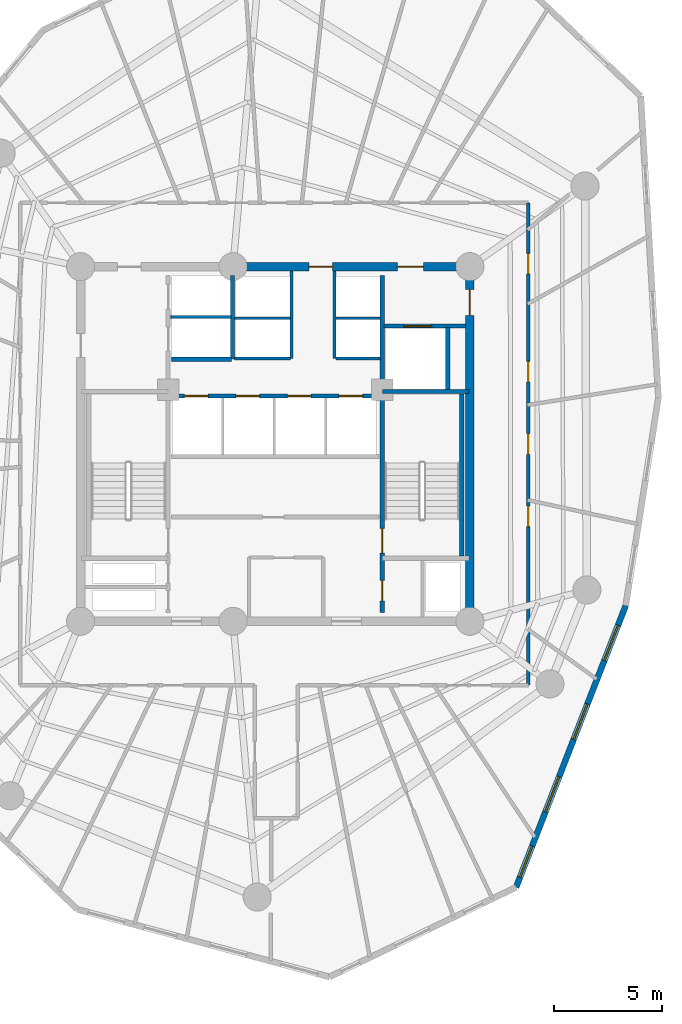
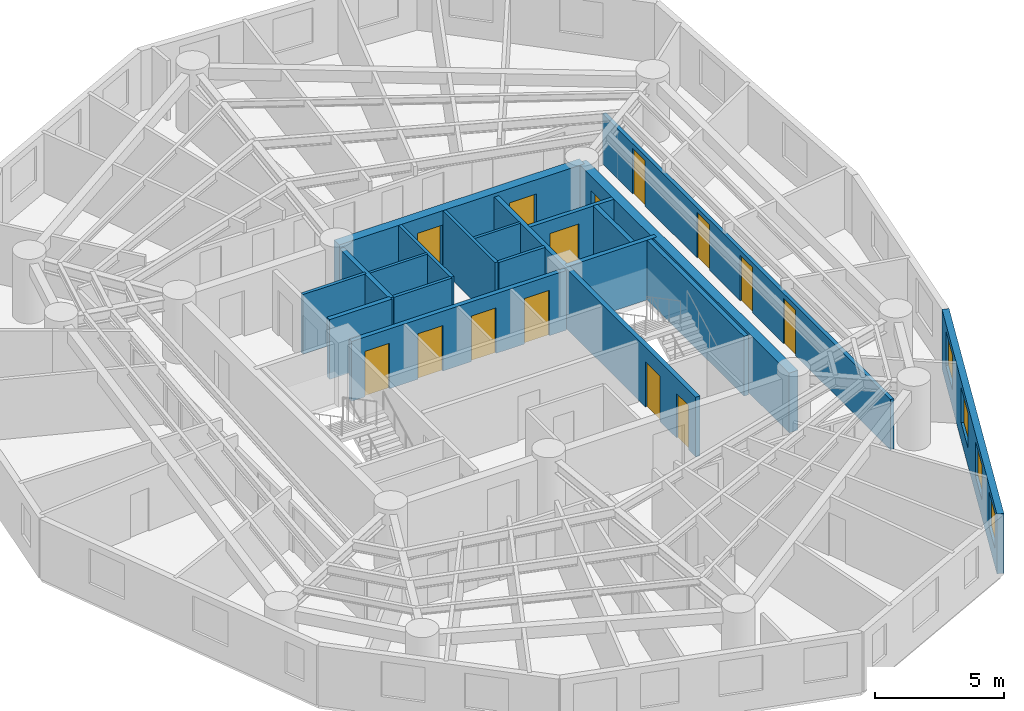
# One storey, part 5 of 8: 19 walls, 14 doors, 4 windows, 18 openings.
"""IFC4 building model written with IfcOpenShell, lengths in metres."""

from ifc_helpers import new_model, si_unit, direction, frame, frame_2d, origin, origin_with_axes, place, context, subcontext, project, spatial, rectangle, extrude, source, transform, mapped, material, layer, layer_set, type_object, element, fill, save


model = new_model("IFC4")

# Units and contexts
model_context = context("Model", 3, precision=1e-05, world=origin(), true_north=direction((0.0, 1.0)))
body_context = subcontext(model_context, "Body", "Model", "MODEL_VIEW")
ifc_project = project(units=[si_unit("LENGTHUNIT", "METRE"), si_unit("AREAUNIT", "SQUARE_METRE"), si_unit("VOLUMEUNIT", "CUBIC_METRE"), si_unit("PLANEANGLEUNIT", "RADIAN"), si_unit("MASSUNIT", "GRAM", prefix="KILO")], contexts=[model_context])

# Site, building, storey
site_placement = place(None, origin())
site = spatial("IfcSite", under=ifc_project, at=site_placement, CompositionType="ELEMENT")
building_placement = place(site_placement, origin())
building = spatial("IfcBuilding", under=site, at=building_placement, Name="Karkom Vertical University and Central Library", CompositionType="ELEMENT")
storey_placement = place(building_placement, frame((0.0, 0.0, 165.699951171875)))
storey = spatial("IfcBuildingStorey", under=building, at=storey_placement, Name="L47", CompositionType="ELEMENT", Elevation=165.699951171875)

# Wall, openings, windows
ifc_material_1 = material(Name="Brick-faced precast concrete C45/55", Category="masonry")
ifc_layer_1 = layer(ifc_material_1, 0.280029296875)
ifc_layer_set_1 = layer_set([ifc_layer_1], Name="Brick-faced precast concrete C45/55")
wall_type_1 = type_object("IfcWallType", Name="ENV-WL-BRK-280", PredefinedType="SOLIDWALL", material=ifc_layer_set_1)
wall_1_placement = place(storey_placement, frame((39.636962890625, 5.994140625, 0.0), z_axis=(0.0, 0.0, 1.0), x_axis=(0.362668608924, 0.931918172428, 0.0)))
wall_1 = element("IfcWall", 1, at=wall_1_placement, inside=storey, type_object=wall_type_1, Name="Level 47 Brick-Faced Precast Facade Wall 06", PredefinedType="SOLIDWALL", context=body_context, shape_type="SweptSolid", body=[
    extrude(rectangle(XDim=13.988037109375, YDim=0.280029296875, at=frame_2d((6.994140625, 0.0))), origin(), (0.0, 0.0, 1.0), 2.824951171875),
])
opening_1_placement = place(wall_1_placement, frame((0.505615234375, 0.0, 0.85009765625)))
opening_1 = element("IfcOpeningElement", 2, at=opening_1_placement, cuts=wall_1, Name="Opening WN-09", PredefinedType="OPENING", context=body_context, shape_type="SweptSolid", body=[
    extrude(rectangle(XDim=1.550048828125, YDim=1.64990234375, at=frame_2d((0.77490234375, 0.824951171875))), frame((0.0, 0.14990234375, 0.0), z_axis=(0.0, -1.0, 0.0), x_axis=(1.0, 0.0, 0.0)), (0.0, 0.0, 1.0), 0.300048828125),
])
opening_2_placement = place(wall_1_placement, frame((3.74560546875, 0.0, 0.85009765625)))
opening_2 = element("IfcOpeningElement", 3, at=opening_2_placement, cuts=wall_1, Name="Opening WN-08", PredefinedType="OPENING", context=body_context, shape_type="SweptSolid", body=[
    extrude(rectangle(XDim=1.75, YDim=1.64990234375, at=frame_2d((0.875, 0.824951171875))), frame((0.0, 0.14990234375, 0.0), z_axis=(0.0, -1.0, 0.0), x_axis=(1.0, 0.0, 0.0)), (0.0, 0.0, 1.0), 0.300048828125),
])
opening_3_placement = place(wall_1_placement, frame((7.344482421875, 0.0, 0.85009765625)))
opening_3 = element("IfcOpeningElement", 4, at=opening_3_placement, cuts=wall_1, Name="Opening WN-08", PredefinedType="OPENING", context=body_context, shape_type="SweptSolid", body=[
    extrude(rectangle(XDim=1.75, YDim=1.64990234375, at=frame_2d((0.875, 0.824951171875))), frame((0.0, 0.14990234375, 0.0), z_axis=(0.0, -1.0, 0.0), x_axis=(1.0, 0.0, 0.0)), (0.0, 0.0, 1.0), 0.300048828125),
])
opening_4_placement = place(wall_1_placement, frame((11.258544921875, 0.0, 0.85009765625)))
opening_4 = element("IfcOpeningElement", 5, at=opening_4_placement, cuts=wall_1, Name="Opening WN-08", PredefinedType="OPENING", context=body_context, shape_type="SweptSolid", body=[
    extrude(rectangle(XDim=1.75, YDim=1.64990234375, at=frame_2d((0.875, 0.824951171875))), frame((0.0, 0.14990234375, 0.0), z_axis=(0.0, -1.0, 0.0), x_axis=(1.0, 0.0, 0.0)), (0.0, 0.0, 1.0), 0.300048828125),
])
ifc_material_2 = material(Name="Aluminium thermal-break frame with solar-control IGU", Category="aluminium")
window_type_1 = type_object("IfcWindowType", Name="ENV-WIN-WN-08", PartitioningType="SINGLE_PANEL", PredefinedType="WINDOW", material=ifc_material_2)
shared_shape_1 = source(origin_with_axes(), body_context, "Body", "SweptSolid", [
    extrude(rectangle(XDim=1.75, YDim=1.64990234375, at=frame_2d((0.875, 0.824951171875))), frame((0.0, 0.030029296875, 0.0), z_axis=(0.0, -1.0, 0.0), x_axis=(1.0, 0.0, 0.0)), (0.0, 0.0, 1.0), 0.06005859375),
])
window_1_placement = place(opening_2_placement, origin())
window_1 = element("IfcWindow", 6, at=window_1_placement, inside=storey, type_object=window_type_1, Name="Level 47 Punched Window 6.2", OverallHeight=1.64990234375, OverallWidth=1.75, PartitioningType="SINGLE_PANEL", PredefinedType="WINDOW", context=body_context, shape_type="MappedRepresentation", body=[
    mapped(shared_shape_1, transform((0.0, 0.0, 0.0), scale=1.0)),
])
fill(opening_2, window_1)
window_2_placement = place(opening_3_placement, origin())
window_2 = element("IfcWindow", 7, at=window_2_placement, inside=storey, type_object=window_type_1, Name="Level 47 Punched Window 6.3", OverallHeight=1.64990234375, OverallWidth=1.75, PartitioningType="SINGLE_PANEL", PredefinedType="WINDOW", context=body_context, shape_type="MappedRepresentation", body=[
    mapped(shared_shape_1, transform((0.0, 0.0, 0.0), scale=1.0)),
])
fill(opening_3, window_2)
window_3_placement = place(opening_4_placement, origin())
window_3 = element("IfcWindow", 8, at=window_3_placement, inside=storey, type_object=window_type_1, Name="Level 47 Punched Window 6.4", OverallHeight=1.64990234375, OverallWidth=1.75, PartitioningType="SINGLE_PANEL", PredefinedType="WINDOW", context=body_context, shape_type="MappedRepresentation", body=[
    mapped(shared_shape_1, transform((0.0, 0.0, 0.0), scale=1.0)),
])
fill(opening_4, window_3)
window_type_2 = type_object("IfcWindowType", Name="ENV-WIN-WN-09", PartitioningType="SINGLE_PANEL", PredefinedType="WINDOW", material=ifc_material_2)
shared_shape_2 = source(origin_with_axes(), body_context, "Body", "SweptSolid", [
    extrude(rectangle(XDim=1.550048828125, YDim=1.64990234375, at=frame_2d((0.77490234375, 0.824951171875))), frame((0.0, 0.030029296875, 0.0), z_axis=(0.0, -1.0, 0.0), x_axis=(1.0, 0.0, 0.0)), (0.0, 0.0, 1.0), 0.06005859375),
])
window_4_placement = place(opening_1_placement, origin())
window_4 = element("IfcWindow", 9, at=window_4_placement, inside=storey, type_object=window_type_2, Name="Level 47 Punched Window 6.1", OverallHeight=1.64990234375, OverallWidth=1.550048828125, PartitioningType="SINGLE_PANEL", PredefinedType="WINDOW", context=body_context, shape_type="MappedRepresentation", body=[
    mapped(shared_shape_2, transform((0.0, 0.0, 0.0), scale=1.0)),
])
fill(opening_1, window_4)

# Wall, openings, doors
ifc_material_3 = material(Name="Insulated metal-stud drywall 160mm", Category="gypsum")
ifc_layer_2 = layer(ifc_material_3, 0.159912109375)
ifc_layer_set_2 = layer_set([ifc_layer_2], Name="Insulated metal-stud drywall 160mm")
wall_type_2 = type_object("IfcWallType", Name="INT-WL-COR-160", PredefinedType="PARTITIONING", material=ifc_layer_set_2)
wall_2_placement = place(storey_placement, frame((40.199951171875, 37.64990234375, 0.0), z_axis=(0.0, 0.0, 1.0), x_axis=(0.0, -1.0, 0.0)))
wall_2 = element("IfcWall", 10, at=wall_2_placement, inside=storey, type_object=wall_type_2, Name="Level 47 Interior Partition Wall L47-CORW-CW-004", PredefinedType="PARTITIONING", context=body_context, shape_type="SweptSolid", body=[
    extrude(rectangle(XDim=22.2998046875, YDim=0.159912109375, at=frame_2d((11.14990234375, 0.0))), origin(), (0.0, 0.0, 1.0), 2.375),
])
opening_5_placement = place(wall_2_placement, frame((14.02001953125, 0.0, 0.0)))
opening_5 = element("IfcOpeningElement", 11, at=opening_5_placement, cuts=wall_2, Name="Opening D-RM1", PredefinedType="OPENING", context=body_context, shape_type="SweptSolid", body=[
    extrude(rectangle(XDim=0.949951171875, YDim=2.14990234375, at=frame_2d((0.47509765625, 1.074951171875))), frame((0.0, 0.08984375, 0.0), z_axis=(0.0, -1.0, 0.0), x_axis=(1.0, 0.0, 0.0)), (0.0, 0.0, 1.0), 0.179931640625),
])
opening_6_placement = place(wall_2_placement, frame((10.675048828125, 0.0, 0.0)))
opening_6 = element("IfcOpeningElement", 12, at=opening_6_placement, cuts=wall_2, Name="Opening D-RM1", PredefinedType="OPENING", context=body_context, shape_type="SweptSolid", body=[
    extrude(rectangle(XDim=0.949951171875, YDim=2.14990234375, at=frame_2d((0.47509765625, 1.074951171875))), frame((0.0, 0.08984375, 0.0), z_axis=(0.0, -1.0, 0.0), x_axis=(1.0, 0.0, 0.0)), (0.0, 0.0, 1.0), 0.179931640625),
])
opening_7_placement = place(wall_2_placement, frame((7.330078125, 0.0, 0.0)))
opening_7 = element("IfcOpeningElement", 13, at=opening_7_placement, cuts=wall_2, Name="Opening D-RM1", PredefinedType="OPENING", context=body_context, shape_type="SweptSolid", body=[
    extrude(rectangle(XDim=0.949951171875, YDim=2.14990234375, at=frame_2d((0.47509765625, 1.074951171875))), frame((0.0, 0.08984375, 0.0), z_axis=(0.0, -1.0, 0.0), x_axis=(1.0, 0.0, 0.0)), (0.0, 0.0, 1.0), 0.179931640625),
])
opening_8_placement = place(wall_2_placement, frame((2.342041015625, 0.0, 0.0)))
opening_8 = element("IfcOpeningElement", 14, at=opening_8_placement, cuts=wall_2, Name="Opening D-RM1", PredefinedType="OPENING", context=body_context, shape_type="SweptSolid", body=[
    extrude(rectangle(XDim=0.949951171875, YDim=2.14990234375, at=frame_2d((0.47509765625, 1.074951171875))), frame((0.0, 0.08984375, 0.0), z_axis=(0.0, -1.0, 0.0), x_axis=(1.0, 0.0, 0.0)), (0.0, 0.0, 1.0), 0.179931640625),
])
ifc_material_4 = material(Name="Solid-core oak veneer door", Category="wood")
door_type_1 = type_object("IfcDoorType", Name="INT-DR-RM1", OperationType="NOTDEFINED", PredefinedType="DOOR", material=ifc_material_4)
shared_shape_3 = source(origin_with_axes(), body_context, "Body", "SweptSolid", [
    extrude(rectangle(XDim=0.949951171875, YDim=2.14990234375, at=frame_2d((0.47509765625, 1.074951171875))), frame((0.0, 0.02490234375, 0.0), z_axis=(0.0, -1.0, 0.0), x_axis=(1.0, 0.0, 0.0)), (0.0, 0.0, 1.0), 0.050048828125),
])
door_1_placement = place(opening_5_placement, origin())
door_1 = element("IfcDoor", 15, at=door_1_placement, inside=storey, type_object=door_type_1, Name="Level 47 Room Entry Door 130", OperationType="SINGLE_SWING_RIGHT", OverallHeight=2.14990234375, OverallWidth=0.949951171875, PredefinedType="DOOR", context=body_context, shape_type="MappedRepresentation", body=[
    mapped(shared_shape_3, transform((0.0, 0.0, 0.0), scale=1.0)),
])
fill(opening_5, door_1)
door_2_placement = place(opening_6_placement, origin())
door_2 = element("IfcDoor", 16, at=door_2_placement, inside=storey, type_object=door_type_1, Name="Level 47 Room Entry Door 140", OperationType="SINGLE_SWING_LEFT", OverallHeight=2.14990234375, OverallWidth=0.949951171875, PredefinedType="DOOR", context=body_context, shape_type="MappedRepresentation", body=[
    mapped(shared_shape_3, transform((0.0, 0.0, 0.0), scale=1.0)),
])
fill(opening_6, door_2)
door_3_placement = place(opening_7_placement, origin())
door_3 = element("IfcDoor", 17, at=door_3_placement, inside=storey, type_object=door_type_1, Name="Level 47 Room Entry Door 150", OperationType="SINGLE_SWING_RIGHT", OverallHeight=2.14990234375, OverallWidth=0.949951171875, PredefinedType="DOOR", context=body_context, shape_type="MappedRepresentation", body=[
    mapped(shared_shape_3, transform((0.0, 0.0, 0.0), scale=1.0)),
])
fill(opening_7, door_3)
door_4_placement = place(opening_8_placement, origin())
door_4 = element("IfcDoor", 18, at=door_4_placement, inside=storey, type_object=door_type_1, Name="Level 47 Room Entry Door 160", OperationType="SINGLE_SWING_LEFT", OverallHeight=2.14990234375, OverallWidth=0.949951171875, PredefinedType="DOOR", context=body_context, shape_type="MappedRepresentation", body=[
    mapped(shared_shape_3, transform((0.0, 0.0, 0.0), scale=1.0)),
])
fill(opening_8, door_4)

# Walls
ifc_material_5 = material(Name="Moisture-resistant drywall 120mm", Category="gypsum")
ifc_layer_3 = layer(ifc_material_5, 0.1201171875)
ifc_layer_set_3 = layer_set([ifc_layer_3], Name="Moisture-resistant drywall 120mm")
wall_type_3 = type_object("IfcWallType", Name="INT-WL-INT-120H", PredefinedType="PARTITIONING", material=ifc_layer_set_3)
wall_3_placement = place(storey_placement, frame((26.6201171875, 32.320068359375, 0.0), z_axis=(0.0, 0.0, 1.0), x_axis=(1.0, 0.0, 0.0)))
element("IfcWall", 19, at=wall_3_placement, inside=storey, type_object=wall_type_3, Name="Level 47 Interior Partition Wall L47-CW-PH-MW", PredefinedType="PARTITIONING", context=body_context, shape_type="SweptSolid", body=[
    extrude(rectangle(XDim=2.579833984375, YDim=0.1201171875, at=frame_2d((1.2900390625, 0.0))), origin(), (0.0, 0.0, 1.0), 2.824951171875),
])
wall_4_placement = place(storey_placement, frame((31.300048828125, 32.320068359375, 0.0), z_axis=(0.0, 0.0, 1.0), x_axis=(1.0, 0.0, 0.0)))
element("IfcWall", 20, at=wall_4_placement, inside=storey, type_object=wall_type_3, Name="Level 47 Interior Partition Wall L47-CW-PH-ME", PredefinedType="PARTITIONING", context=body_context, shape_type="SweptSolid", body=[
    extrude(rectangle(XDim=2.074951171875, YDim=0.1201171875, at=frame_2d((1.03759765625, 0.0))), origin(), (0.0, 0.0, 1.0), 2.824951171875),
])
ifc_material_6 = material(Name="Metal-stud gypsum partition 140mm", Category="gypsum")
ifc_layer_4 = layer(ifc_material_6, 0.139892578125)
ifc_layer_set_4 = layer_set([ifc_layer_4], Name="Metal-stud gypsum partition 140mm")
wall_type_4 = type_object("IfcWallType", Name="INT-WL-SUB-140H", PredefinedType="PARTITIONING", material=ifc_layer_set_4)
for number, where, z_axis, x_axis, name in (
    (21, (29.260009765625, 30.449951171875, 0.0), (0.0, 0.0, 1.0), (0.0, 1.0, 0.0), "Level 47 Interior Partition Wall L47-CW-PH-W"),
    (22, (31.239990234375, 30.449951171875, 0.0), (0.0, 0.0, 1.0), (0.0, 1.0, 0.0), "Level 47 Interior Partition Wall L47-CW-PH-E"),
):
    element("IfcWall", number, at=place(storey_placement, frame(where, z_axis=z_axis, x_axis=x_axis)), inside=storey, type_object=wall_type_4, Name=name, PredefinedType="PARTITIONING", context=body_context, shape_type="SweptSolid", body=[
        extrude(rectangle(XDim=4.04296875, YDim=0.139892578125, at=frame_2d((2.021484375, 0.0))), origin(), (0.0, 0.0, 1.0), 2.824951171875),
    ])
wall_5_placement = place(storey_placement, frame((26.6201171875, 30.449951171875, 0.0), z_axis=(0.0, 0.0, 1.0), x_axis=(1.0, 0.0, 0.0)))
element("IfcWall", 23, at=wall_5_placement, inside=storey, type_object=wall_type_4, Name="Level 47 Interior Partition Wall L47-CW-PH-S1", PredefinedType="PARTITIONING", context=body_context, shape_type="SweptSolid", body=[
    extrude(rectangle(XDim=2.579833984375, YDim=0.139892578125, at=frame_2d((1.2900390625, 0.0))), origin(), (0.0, 0.0, 1.0), 2.824951171875),
])
wall_6_placement = place(storey_placement, frame((31.300048828125, 30.449951171875, 0.0), z_axis=(0.0, 0.0, 1.0), x_axis=(1.0, 0.0, 0.0)))
element("IfcWall", 24, at=wall_6_placement, inside=storey, type_object=wall_type_4, Name="Level 47 Interior Partition Wall L47-CW-PH-S2", PredefinedType="PARTITIONING", context=body_context, shape_type="SweptSolid", body=[
    extrude(rectangle(XDim=2.074951171875, YDim=0.139892578125, at=frame_2d((1.03759765625, 0.0))), origin(), (0.0, 0.0, 1.0), 2.824951171875),
])
ifc_layer_5 = layer(ifc_material_6, 0.139892578125)
ifc_layer_set_5 = layer_set([ifc_layer_5], Name="Metal-stud gypsum partition 140mm")
wall_type_5 = type_object("IfcWallType", Name="INT-WL-SUB-140X", PredefinedType="PARTITIONING", material=ifc_layer_set_5)
wall_7_placement = place(storey_placement, frame((23.652099609375, 32.3701171875, 0.0), z_axis=(0.0, 0.0, 1.0), x_axis=(1.0, 0.0, 0.0)))
element("IfcWall", 25, at=wall_7_placement, inside=storey, type_object=wall_type_5, Name="Level 47 Interior Partition Wall L47-CW-FFL-M", PredefinedType="PARTITIONING", context=body_context, shape_type="SweptSolid", body=[
    extrude(rectangle(XDim=2.827880859375, YDim=0.139892578125, at=frame_2d((1.4140625, 0.0))), origin(), (0.0, 0.0, 1.0), 2.824951171875),
])

# Wall, opening, door
ifc_material_7 = material(Name="Twin-stud acoustic drywall 180mm", Category="gypsum")
ifc_layer_6 = layer(ifc_material_7, 0.179931640625)
ifc_layer_set_6 = layer_set([ifc_layer_6], Name="Twin-stud acoustic drywall 180mm")
wall_type_6 = type_object("IfcWallType", Name="INT-WL-TEN-180F", PredefinedType="PARTITIONING", material=ifc_layer_set_6)
wall_8_placement = place(storey_placement, frame((33.534912109375, 31.949951171875, 0.0), z_axis=(0.0, 0.0, 1.0), x_axis=(1.0, 0.0, 0.0)))
wall_8 = element("IfcWall", 26, at=wall_8_placement, inside=storey, type_object=wall_type_6, Name="Level 47 Interior Partition Wall L47-CW-SVL-N", PredefinedType="PARTITIONING", context=body_context, shape_type="SweptSolid", body=[
    extrude(rectangle(XDim=3.7587890625, YDim=0.179931640625, at=frame_2d((1.87939453125, 0.0))), origin(), (0.0, 0.0, 1.0), 2.824951171875),
])
opening_9_placement = place(wall_8_placement, frame((0.89990234375, 0.0, 0.0)))
opening_9 = element("IfcOpeningElement", 27, at=opening_9_placement, cuts=wall_8, Name="Opening LD-SV1", PredefinedType="OPENING", context=body_context, shape_type="SweptSolid", body=[
    extrude(rectangle(XDim=1.300048828125, YDim=2.199951171875, at=frame_2d((0.64990234375, 1.10009765625))), frame((0.0, 0.10009765625, 0.0), z_axis=(0.0, -1.0, 0.0), x_axis=(1.0, 0.0, 0.0)), (0.0, 0.0, 1.0), 0.199951171875),
])
ifc_material_8 = material(Name="Brushed stainless-steel landing door", Category="steel")
door_type_2 = type_object("IfcDoorType", Name="INT-DR-LD-SV1", OperationType="SLIDING_TO_LEFT", PredefinedType="DOOR", material=ifc_material_8)
shared_shape_4 = source(origin_with_axes(), body_context, "Body", "SweptSolid", [
    extrude(rectangle(XDim=1.300048828125, YDim=2.199951171875, at=frame_2d((0.64990234375, 1.10009765625))), frame((0.0, 0.02490234375, 0.0), z_axis=(0.0, -1.0, 0.0), x_axis=(1.0, 0.0, 0.0)), (0.0, 0.0, 1.0), 0.050048828125),
])
door_5_placement = place(opening_9_placement, origin())
door_5 = element("IfcDoor", 28, at=door_5_placement, inside=storey, type_object=door_type_2, Name="Level 47 Service Lift Landing Door LD-SV1", OperationType="SLIDING_TO_LEFT", OverallHeight=2.199951171875, OverallWidth=1.300048828125, PredefinedType="DOOR", context=body_context, shape_type="MappedRepresentation", body=[
    mapped(shared_shape_4, transform((0.0, 0.0, 0.0), scale=1.0)),
])
fill(opening_9, door_5)

ifc_material_9 = material(Name="Concrete C50/60", Category="concrete")
ifc_layer_7 = layer(ifc_material_9, 0.39990234375)
ifc_layer_set_7 = layer_set([ifc_layer_7], Name="Concrete C50/60")
wall_type_7 = type_object("IfcWallType", Name="STR-WL-CW-400", PredefinedType="SHEAR", material=ifc_layer_set_7)
wall_9_placement = place(storey_placement, frame((37.5, 18.300048828125, 0.0), z_axis=(0.0, 0.0, 1.0), x_axis=(0.0, 1.0, 0.0)))
wall_9 = element("IfcWall", 29, at=wall_9_placement, inside=storey, type_object=wall_type_7, Name="Level 47 Central Core Shear Wall EW", PredefinedType="SHEAR", context=body_context, shape_type="SweptSolid", body=[
    extrude(rectangle(XDim=16.39990234375, YDim=0.39990234375, at=frame_2d((8.199951171875, 0.0))), origin(), (0.0, 0.0, 1.0), 2.824951171875),
])
opening_10_placement = place(wall_9_placement, frame((14.14990234375, 0.0, 0.0)))
opening_10 = element("IfcOpeningElement", 30, at=opening_10_placement, cuts=wall_9, Name="Opening FD-SUB1", PredefinedType="OPENING", context=body_context, shape_type="SweptSolid", body=[
    extrude(rectangle(XDim=1.199951171875, YDim=2.14990234375, at=frame_2d((0.60009765625, 1.074951171875))), frame((0.0, 0.2099609375, 0.0), z_axis=(0.0, -1.0, 0.0), x_axis=(1.0, 0.0, 0.0)), (0.0, 0.0, 1.0), 0.419921875),
])
ifc_material_10 = material(Name="Painted steel fire door", Category="steel")
door_type_3 = type_object("IfcDoorType", Name="INT-DR-SUB1", OperationType="NOTDEFINED", PredefinedType="DOOR", material=ifc_material_10)
shared_shape_5 = source(origin_with_axes(), body_context, "Body", "SweptSolid", [
    extrude(rectangle(XDim=1.199951171875, YDim=2.14990234375, at=frame_2d((0.60009765625, 1.074951171875))), frame((0.0, 0.02490234375, 0.0), z_axis=(0.0, -1.0, 0.0), x_axis=(1.0, 0.0, 0.0)), (0.0, 0.0, 1.0), 0.050048828125),
])
door_6_placement = place(opening_10_placement, origin())
door_6 = element("IfcDoor", 31, at=door_6_placement, inside=storey, type_object=door_type_3, Name="Level 47 East Corridor Service Lobby Door", OperationType="SINGLE_SWING_RIGHT", OverallHeight=2.14990234375, OverallWidth=1.199951171875, PredefinedType="DOOR", context=body_context, shape_type="MappedRepresentation", body=[
    mapped(shared_shape_5, transform((0.0, 0.0, 0.0), scale=1.0)),
])
fill(opening_10, door_6)

# Wall, openings, doors
wall_10_placement = place(storey_placement, frame((37.5, 34.699951171875, 0.0), z_axis=(0.0, 0.0, 1.0), x_axis=(-1.0, 0.0, 0.0)))
wall_10 = element("IfcWall", 32, at=wall_10_placement, inside=storey, type_object=wall_type_7, Name="Level 47 Central Core Shear Wall NW1", PredefinedType="SHEAR", context=body_context, shape_type="SweptSolid", body=[
    extrude(rectangle(XDim=10.949951171875, YDim=0.39990234375, at=frame_2d((5.47509765625, 0.0))), origin(), (0.0, 0.0, 1.0), 2.824951171875),
])
opening_11_placement = place(wall_10_placement, frame((2.14990234375, 0.0, 0.0)))
opening_11 = element("IfcOpeningElement", 33, at=opening_11_placement, cuts=wall_10, Name="Opening FD-SUB1", PredefinedType="OPENING", context=body_context, shape_type="SweptSolid", body=[
    extrude(rectangle(XDim=1.199951171875, YDim=2.14990234375, at=frame_2d((0.60009765625, 1.074951171875))), frame((0.0, 0.2099609375, 0.0), z_axis=(0.0, -1.0, 0.0), x_axis=(1.0, 0.0, 0.0)), (0.0, 0.0, 1.0), 0.419921875),
])
opening_12_placement = place(wall_10_placement, frame((6.35009765625, 0.0, 0.0)))
opening_12 = element("IfcOpeningElement", 34, at=opening_12_placement, cuts=wall_10, Name="Opening FD-FFL", PredefinedType="OPENING", context=body_context, shape_type="SweptSolid", body=[
    extrude(rectangle(XDim=1.10009765625, YDim=2.14990234375, at=frame_2d((0.550048828125, 1.074951171875))), frame((0.0, 0.2099609375, 0.0), z_axis=(0.0, -1.0, 0.0), x_axis=(1.0, 0.0, 0.0)), (0.0, 0.0, 1.0), 0.419921875),
])
ifc_material_11 = material(Name="Painted steel smoke-seal fire door", Category="steel")
door_type_4 = type_object("IfcDoorType", Name="INT-DR-FFL", OperationType="NOTDEFINED", PredefinedType="DOOR", material=ifc_material_11)
shared_shape_6 = source(origin_with_axes(), body_context, "Body", "SweptSolid", [
    extrude(rectangle(XDim=1.10009765625, YDim=2.14990234375, at=frame_2d((0.550048828125, 1.074951171875))), frame((0.0, 0.02490234375, 0.0), z_axis=(0.0, -1.0, 0.0), x_axis=(1.0, 0.0, 0.0)), (0.0, 0.0, 1.0), 0.050048828125),
])
door_7_placement = place(opening_12_placement, origin())
door_7 = element("IfcDoor", 35, at=door_7_placement, inside=storey, type_object=door_type_4, Name="Level 47 North Core Lobby Exit Door", OperationType="SINGLE_SWING_LEFT", OverallHeight=2.14990234375, OverallWidth=1.10009765625, PredefinedType="DOOR", context=body_context, shape_type="MappedRepresentation", body=[
    mapped(shared_shape_6, transform((0.0, 0.0, 0.0), scale=1.0)),
])
fill(opening_12, door_7)
door_8_placement = place(opening_11_placement, origin())
door_8 = element("IfcDoor", 36, at=door_8_placement, inside=storey, type_object=door_type_3, Name="Level 47 Service Lobby Fire Door", OperationType="SINGLE_SWING_LEFT", OverallHeight=2.14990234375, OverallWidth=1.199951171875, PredefinedType="DOOR", context=body_context, shape_type="MappedRepresentation", body=[
    mapped(shared_shape_5, transform((0.0, 0.0, 0.0), scale=1.0)),
])
fill(opening_11, door_8)

ifc_material_12 = material(Name="Concrete C45/55", Category="concrete")
ifc_layer_8 = layer(ifc_material_12, 0.199951171875)
ifc_layer_set_8 = layer_set([ifc_layer_8], Name="Concrete C45/55")
wall_type_8 = type_object("IfcWallType", Name="STR-WL-ST-200", PredefinedType="SHEAR", material=ifc_layer_set_8)
wall_11_placement = place(storey_placement, frame((33.455078125, 18.699951171875, 0.0), z_axis=(0.0, 0.0, 1.0), x_axis=(0.0, 1.0, 0.0)))
wall_11 = element("IfcWall", 37, at=wall_11_placement, inside=storey, type_object=wall_type_8, Name="Level 47 Core Shaft Wall L47-CW-ST2-W", PredefinedType="SHEAR", context=body_context, shape_type="SweptSolid", body=[
    extrude(rectangle(XDim=15.60009765625, YDim=0.199951171875, at=frame_2d((7.800048828125, 0.0))), origin(), (0.0, 0.0, 1.0), 2.824951171875),
])
opening_13_placement = place(wall_11_placement, frame((2.75, 0.0, 0.0)))
opening_13 = element("IfcOpeningElement", 38, at=opening_13_placement, cuts=wall_11, Name="Opening FD-ST1", PredefinedType="OPENING", context=body_context, shape_type="SweptSolid", body=[
    extrude(rectangle(XDim=1.14990234375, YDim=2.14990234375, at=frame_2d((0.574951171875, 1.074951171875))), frame((0.0, 0.10986328125, 0.0), z_axis=(0.0, -1.0, 0.0), x_axis=(1.0, 0.0, 0.0)), (0.0, 0.0, 1.0), 0.219970703125),
])
opening_14_placement = place(wall_11_placement, frame((0.550048828125, 0.0, 0.0)))
opening_14 = element("IfcOpeningElement", 39, at=opening_14_placement, cuts=wall_11, Name="Opening D-WC1", PredefinedType="OPENING", context=body_context, shape_type="SweptSolid", body=[
    extrude(rectangle(XDim=0.93994140625, YDim=2.10009765625, at=frame_2d((0.469970703125, 1.050048828125))), frame((0.0, 0.10986328125, 0.0), z_axis=(0.0, -1.0, 0.0), x_axis=(1.0, 0.0, 0.0)), (0.0, 0.0, 1.0), 0.219970703125),
])
ifc_material_13 = material(Name="Painted steel acoustic fire door", Category="steel")
door_type_5 = type_object("IfcDoorType", Name="INT-DR-ST1", OperationType="NOTDEFINED", PredefinedType="DOOR", material=ifc_material_13)
shared_shape_7 = source(origin_with_axes(), body_context, "Body", "SweptSolid", [
    extrude(rectangle(XDim=1.14990234375, YDim=2.14990234375, at=frame_2d((0.574951171875, 1.074951171875))), frame((0.0, 0.02490234375, 0.0), z_axis=(0.0, -1.0, 0.0), x_axis=(1.0, 0.0, 0.0)), (0.0, 0.0, 1.0), 0.050048828125),
])
door_9_placement = place(opening_13_placement, origin())
door_9 = element("IfcDoor", 40, at=door_9_placement, inside=storey, type_object=door_type_5, Name="Level 47 Stair ST-2 Fire Door", OperationType="SINGLE_SWING_LEFT", OverallHeight=2.14990234375, OverallWidth=1.14990234375, PredefinedType="DOOR", context=body_context, shape_type="MappedRepresentation", body=[
    mapped(shared_shape_7, transform((0.0, 0.0, 0.0), scale=1.0)),
])
fill(opening_13, door_9)
ifc_material_14 = material(Name="Fire-rated laminate moisture-resistant door", Category="wood")
door_type_6 = type_object("IfcDoorType", Name="INT-DR-WC1", OperationType="NOTDEFINED", PredefinedType="DOOR", material=ifc_material_14)
shared_shape_8 = source(origin_with_axes(), body_context, "Body", "SweptSolid", [
    extrude(rectangle(XDim=0.93994140625, YDim=2.10009765625, at=frame_2d((0.469970703125, 1.050048828125))), frame((0.0, 0.02490234375, 0.0), z_axis=(0.0, -1.0, 0.0), x_axis=(1.0, 0.0, 0.0)), (0.0, 0.0, 1.0), 0.050048828125),
])
door_10_placement = place(opening_14_placement, origin())
door_10 = element("IfcDoor", 41, at=door_10_placement, inside=storey, type_object=door_type_6, Name="Level 47 Accessible WC Door", OperationType="SINGLE_SWING_RIGHT", OverallHeight=2.10009765625, OverallWidth=0.93994140625, PredefinedType="DOOR", context=body_context, shape_type="MappedRepresentation", body=[
    mapped(shared_shape_8, transform((0.0, 0.0, 0.0), scale=1.0)),
])
fill(opening_14, door_10)

wall_12_placement = place(storey_placement, frame((23.699951171875, 28.719970703125, 0.0), z_axis=(0.0, 0.0, 1.0), x_axis=(1.0, 0.0, 0.0)))
wall_12 = element("IfcWall", 42, at=wall_12_placement, inside=storey, type_object=wall_type_8, Name="Level 47 Core Shaft Wall L47-CW-B2-N", PredefinedType="SHEAR", context=body_context, shape_type="SweptSolid", body=[
    extrude(rectangle(XDim=9.60009765625, YDim=0.199951171875, at=frame_2d((4.800048828125, 0.0))), origin(), (0.0, 0.0, 1.0), 2.824951171875),
])
opening_15_placement = place(wall_12_placement, frame((0.60009765625, 0.0, 0.0)))
opening_15 = element("IfcOpeningElement", 43, at=opening_15_placement, cuts=wall_12, Name="Opening LD-PAX", PredefinedType="OPENING", context=body_context, shape_type="SweptSolid", body=[
    extrude(rectangle(XDim=1.10009765625, YDim=2.14990234375, at=frame_2d((0.550048828125, 1.074951171875))), frame((0.0, 0.10986328125, 0.0), z_axis=(0.0, -1.0, 0.0), x_axis=(1.0, 0.0, 0.0)), (0.0, 0.0, 1.0), 0.219970703125),
])
opening_16_placement = place(wall_12_placement, frame((2.97998046875, 0.0, 0.0)))
opening_16 = element("IfcOpeningElement", 44, at=opening_16_placement, cuts=wall_12, Name="Opening LD-PAX", PredefinedType="OPENING", context=body_context, shape_type="SweptSolid", body=[
    extrude(rectangle(XDim=1.10009765625, YDim=2.14990234375, at=frame_2d((0.550048828125, 1.074951171875))), frame((0.0, 0.10986328125, 0.0), z_axis=(0.0, -1.0, 0.0), x_axis=(1.0, 0.0, 0.0)), (0.0, 0.0, 1.0), 0.219970703125),
])
opening_17_placement = place(wall_12_placement, frame((5.360107421875, 0.0, 0.0)))
opening_17 = element("IfcOpeningElement", 45, at=opening_17_placement, cuts=wall_12, Name="Opening LD-PAX", PredefinedType="OPENING", context=body_context, shape_type="SweptSolid", body=[
    extrude(rectangle(XDim=1.10009765625, YDim=2.14990234375, at=frame_2d((0.550048828125, 1.074951171875))), frame((0.0, 0.10986328125, 0.0), z_axis=(0.0, -1.0, 0.0), x_axis=(1.0, 0.0, 0.0)), (0.0, 0.0, 1.0), 0.219970703125),
])
opening_18_placement = place(wall_12_placement, frame((7.739990234375, 0.0, 0.0)))
opening_18 = element("IfcOpeningElement", 46, at=opening_18_placement, cuts=wall_12, Name="Opening LD-PAX", PredefinedType="OPENING", context=body_context, shape_type="SweptSolid", body=[
    extrude(rectangle(XDim=1.10009765625, YDim=2.14990234375, at=frame_2d((0.550048828125, 1.074951171875))), frame((0.0, 0.10986328125, 0.0), z_axis=(0.0, -1.0, 0.0), x_axis=(1.0, 0.0, 0.0)), (0.0, 0.0, 1.0), 0.219970703125),
])
door_type_7 = type_object("IfcDoorType", Name="INT-DR-LD-PAX", OperationType="SLIDING_TO_LEFT", PredefinedType="DOOR", material=ifc_material_8)
door_11_placement = place(opening_15_placement, origin())
door_11 = element("IfcDoor", 47, at=door_11_placement, inside=storey, type_object=door_type_7, Name="Level 47 Lift PM-1 Landing Door", OperationType="SLIDING_TO_LEFT", OverallHeight=2.14990234375, OverallWidth=1.10009765625, PredefinedType="DOOR", context=body_context, shape_type="MappedRepresentation", body=[
    mapped(shared_shape_6, transform((0.0, 0.0, 0.0), scale=1.0)),
])
fill(opening_15, door_11)
door_12_placement = place(opening_16_placement, origin())
door_12 = element("IfcDoor", 48, at=door_12_placement, inside=storey, type_object=door_type_7, Name="Level 47 Lift PM-2 Landing Door", OperationType="SLIDING_TO_RIGHT", OverallHeight=2.14990234375, OverallWidth=1.10009765625, PredefinedType="DOOR", context=body_context, shape_type="MappedRepresentation", body=[
    mapped(shared_shape_6, transform((0.0, 0.0, 0.0), scale=1.0)),
])
fill(opening_16, door_12)
door_13_placement = place(opening_17_placement, origin())
door_13 = element("IfcDoor", 49, at=door_13_placement, inside=storey, type_object=door_type_7, Name="Level 47 Lift PM-3 Landing Door", OperationType="SLIDING_TO_LEFT", OverallHeight=2.14990234375, OverallWidth=1.10009765625, PredefinedType="DOOR", context=body_context, shape_type="MappedRepresentation", body=[
    mapped(shared_shape_6, transform((0.0, 0.0, 0.0), scale=1.0)),
])
fill(opening_17, door_13)
door_14_placement = place(opening_18_placement, origin())
door_14 = element("IfcDoor", 50, at=door_14_placement, inside=storey, type_object=door_type_7, Name="Level 47 Lift PM-4 Landing Door", OperationType="SLIDING_TO_RIGHT", OverallHeight=2.14990234375, OverallWidth=1.10009765625, PredefinedType="DOOR", context=body_context, shape_type="MappedRepresentation", body=[
    mapped(shared_shape_6, transform((0.0, 0.0, 0.0), scale=1.0)),
])
fill(opening_18, door_14)

# Walls
wall_13_placement = place(storey_placement, frame((37.125, 21.320068359375, 0.0), z_axis=(0.0, 0.0, 1.0), x_axis=(0.0, 1.0, 0.0)))
element("IfcWall", 51, at=wall_13_placement, inside=storey, type_object=wall_type_8, Name="Level 47 Core Shaft Wall L47-CW-ST2-E", PredefinedType="SHEAR", context=body_context, shape_type="SweptSolid", body=[
    extrude(rectangle(XDim=7.5, YDim=0.199951171875, at=frame_2d((3.75, 0.0))), origin(), (0.0, 0.0, 1.0), 2.824951171875),
])
wall_14_placement = place(storey_placement, frame((33.455078125, 28.925048828125, 0.0), z_axis=(0.0, 0.0, 1.0), x_axis=(1.0, 0.0, 0.0)))
element("IfcWall", 52, at=wall_14_placement, inside=storey, type_object=wall_type_8, Name="Level 47 Core Shaft Wall L47-CW-ST2-N", PredefinedType="SHEAR", context=body_context, shape_type="SweptSolid", body=[
    extrude(rectangle(XDim=3.994873046875, YDim=0.199951171875, at=frame_2d((1.99755859375, 0.0))), origin(), (0.0, 0.0, 1.0), 2.824951171875),
])
wall_15_placement = place(storey_placement, frame((26.52001953125, 30.419921875, 0.0), z_axis=(0.0, 0.0, 1.0), x_axis=(0.0, 1.0, 0.0)))
element("IfcWall", 53, at=wall_15_placement, inside=storey, type_object=wall_type_8, Name="Level 47 Core Shaft Wall L47-CW-FFL-E", PredefinedType="SHEAR", context=body_context, shape_type="SweptSolid", body=[
    extrude(rectangle(XDim=3.860107421875, YDim=0.199951171875, at=frame_2d((1.93017578125, 0.0))), origin(), (0.0, 0.0, 1.0), 2.824951171875),
])
wall_16_placement = place(storey_placement, frame((36.47998046875, 29.02001953125, 0.0), z_axis=(0.0, 0.0, 1.0), x_axis=(0.0, 1.0, 0.0)))
element("IfcWall", 54, at=wall_16_placement, inside=storey, type_object=wall_type_8, Name="Level 47 Core Shaft Wall L47-CW-SVL-E", PredefinedType="SHEAR", context=body_context, shape_type="SweptSolid", body=[
    extrude(rectangle(XDim=2.85986328125, YDim=0.199951171875, at=frame_2d((1.429931640625, 0.0))), origin(), (0.0, 0.0, 1.0), 2.824951171875),
])
wall_17_placement = place(storey_placement, frame((23.699951171875, 30.419921875, 0.0), z_axis=(0.0, 0.0, 1.0), x_axis=(1.0, 0.0, 0.0)))
element("IfcWall", 55, at=wall_17_placement, inside=storey, type_object=wall_type_8, Name="Level 47 Core Shaft Wall L47-CW-FFL-S", PredefinedType="SHEAR", context=body_context, shape_type="SweptSolid", body=[
    extrude(rectangle(XDim=2.780029296875, YDim=0.199951171875, at=frame_2d((1.39013671875, 0.0))), origin(), (0.0, 0.0, 1.0), 2.824951171875),
])

save(model, "model.ifc")
